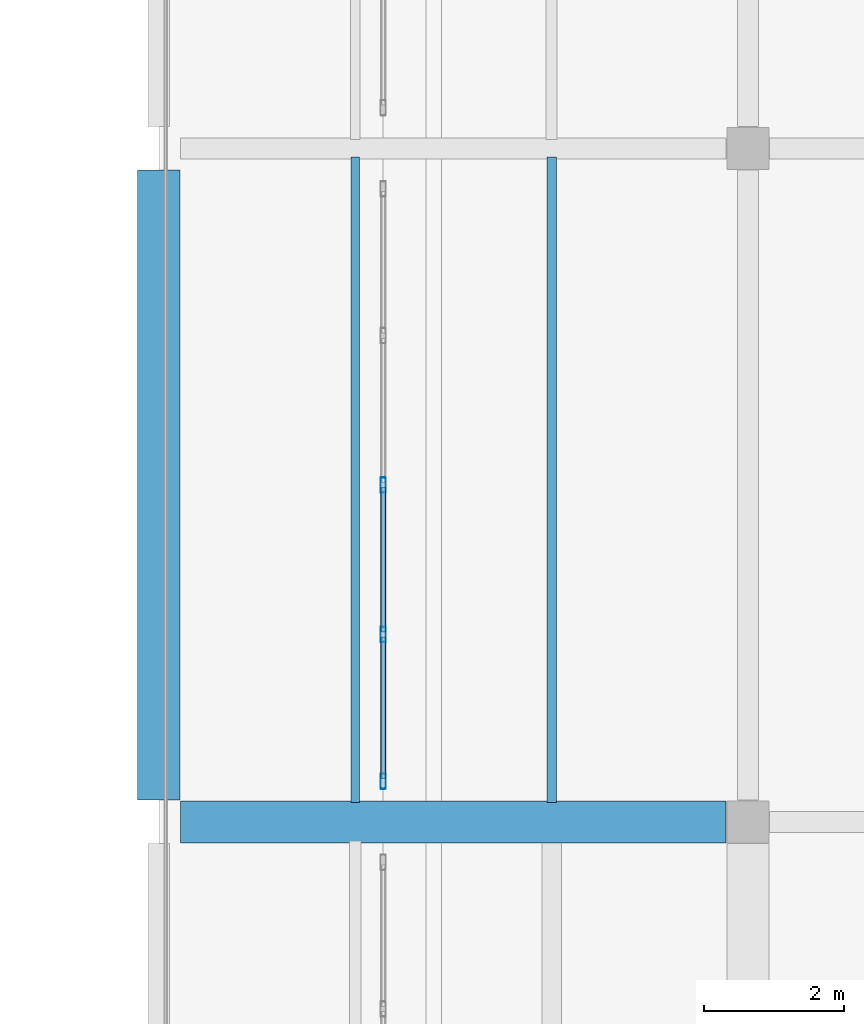
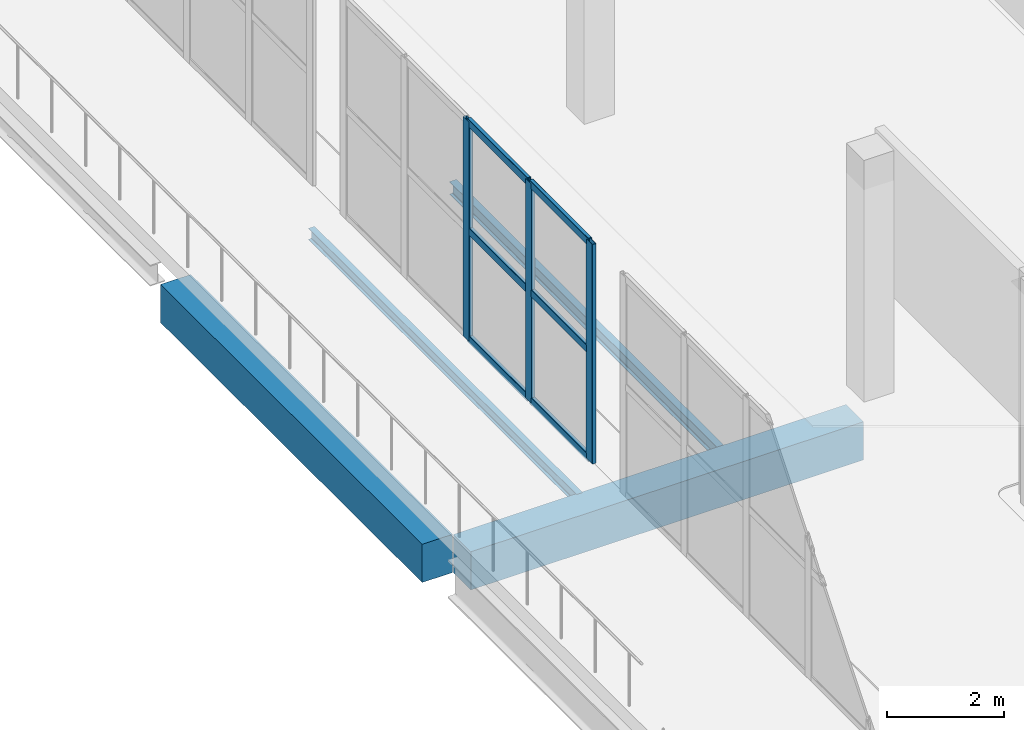
# One storey, part 23 of 77: 9 members, 4 beams, 1 element without a shape of its own.
"""IFC4 building model written with IfcOpenShell, lengths in metres."""

from ifc_helpers import new_model, si_unit, direction, frame, origin, origin_2d, place, context, subcontext, project, spatial, rectangle, hollow_rectangle, i_section, extrude, material, layer, layer_set, material_profile, profile_set, type_object, element, aggregate, save


model = new_model("IFC4")

# Units and contexts
model_context = context("Model", 3, precision=1e-05, world=origin(), true_north=direction((0.0, 1.0)))
body_context = subcontext(model_context, "Body", "Model", "MODEL_VIEW")
ifc_project = project(units=[si_unit("LENGTHUNIT", "METRE"), si_unit("AREAUNIT", "SQUARE_METRE"), si_unit("VOLUMEUNIT", "CUBIC_METRE"), si_unit("PLANEANGLEUNIT", "RADIAN"), si_unit("MASSUNIT", "GRAM", prefix="KILO")], contexts=[model_context])

# Site, building, storey
site_placement = place(None, origin())
site = spatial("IfcSite", under=ifc_project, at=site_placement, CompositionType="ELEMENT")
building_placement = place(site_placement, origin())
building = spatial("IfcBuilding", under=site, at=building_placement, Name="Zulmaris Art Gallery", CompositionType="ELEMENT")
storey_placement = place(building_placement, frame((0.0, 0.0, 15.60009765625)))
storey = spatial("IfcBuildingStorey", under=building, at=storey_placement, Name="L03", CompositionType="ELEMENT", Elevation=15.60009765625)

# Beams
ifc_material_1 = material(Name="Concrete C40/50", Category="concrete")
ifc_material_profile_1 = material_profile(ifc_material_1, rectangle(XDim=0.60009765625, YDim=0.800048828125, at=origin_2d()), Name="RC 600x800")
ifc_profile_set_1 = profile_set([ifc_material_profile_1], Name="Concrete C40/50")
beam_type_1 = type_object("IfcBeamType", Name="BEAM-BM27", PredefinedType="BEAM", material=ifc_profile_set_1)
beam_1_placement = place(storey_placement, frame((125.110107421875, 31.199951171875, -0.77001953125), z_axis=(1.0, 0.0, 0.0), x_axis=(0.0, 1.0, 0.0)))
element("IfcBeam", 1, at=beam_1_placement, inside=storey, type_object=beam_type_1, Name="L03 X-girder (124.8..133.2, y=31.2)", PredefinedType="BEAM", context=body_context, shape_type="SweptSolid", body=[
    extrude(rectangle(XDim=0.60009765625, YDim=0.800048828125, at=origin_2d()), origin(), (0.0, 0.0, 1.0), 7.77978515625),
])
beam_2_placement = place(storey_placement, frame((124.800048828125, 31.510009765625, -0.77001953125), z_axis=(0.0, 1.0, 0.0), x_axis=(-1.0, 0.0, 0.0)))
element("IfcBeam", 2, at=beam_2_placement, inside=storey, type_object=beam_type_1, Name="L03 Y-girder (x=124.8, 31.2..40.8)", PredefinedType="BEAM", context=body_context, shape_type="SweptSolid", body=[
    extrude(rectangle(XDim=0.60009765625, YDim=0.800048828125, at=origin_2d()), origin(), (0.0, 0.0, 1.0), 8.97998046875),
])
ifc_material_2 = material(Name="Steel S355J2", Category="steel")
ifc_material_profile_2 = material_profile(ifc_material_2, i_section(OverallWidth=0.1201171875, OverallDepth=0.239990234375, WebThickness=0.006103515625, FlangeThickness=0.009765625, FilletRadius=0.014892578125, at=origin_2d()), Name="IPE 240")
ifc_profile_set_2 = profile_set([ifc_material_profile_2], Name="Steel S355J2")
beam_type_2 = type_object("IfcBeamType", Name="BEAM-JS01", PredefinedType="JOIST", material=ifc_profile_set_2)
beam_3_placement = place(storey_placement, frame((127.60009765625, 31.47509765625, -0.489990234375), z_axis=(0.0, 1.0, 0.0), x_axis=(-1.0, 0.0, 0.0)))
element("IfcBeam", 3, at=beam_3_placement, inside=storey, type_object=beam_type_2, Name="L03 secondary joist at x=127.6", PredefinedType="JOIST", context=body_context, shape_type="SweptSolid", body=[
    extrude(i_section(OverallWidth=0.1201171875, OverallDepth=0.239990234375, WebThickness=0.006103515625, FlangeThickness=0.009765625, FilletRadius=0.014892578125, at=origin_2d()), origin(), (0.0, 0.0, 1.0), 9.199951171875),
])
ifc_material_profile_3 = material_profile(ifc_material_2, i_section(OverallWidth=0.135009765625, OverallDepth=0.27001953125, WebThickness=0.006591796875, FlangeThickness=0.01025390625, FilletRadius=0.014892578125, at=origin_2d()), Name="IPE 270")
ifc_profile_set_3 = profile_set([ifc_material_profile_3], Name="Steel S355J2")
beam_type_3 = type_object("IfcBeamType", Name="BEAM-JS02", PredefinedType="JOIST", material=ifc_profile_set_3)
beam_4_placement = place(storey_placement, frame((130.39990234375, 31.47509765625, -0.505126953125), z_axis=(0.0, 1.0, 0.0), x_axis=(-1.0, 0.0, 0.0)))
element("IfcBeam", 4, at=beam_4_placement, inside=storey, type_object=beam_type_3, Name="L03 secondary joist at x=130.4", PredefinedType="JOIST", context=body_context, shape_type="SweptSolid", body=[
    extrude(i_section(OverallWidth=0.135009765625, OverallDepth=0.27001953125, WebThickness=0.006591796875, FlangeThickness=0.01025390625, FilletRadius=0.014892578125, at=origin_2d()), origin(), (0.0, 0.0, 1.0), 9.199951171875),
])

# Curtain wall, members
ifc_material_3 = material(Name="Unitised Low-E Gallery Curtain Wall", Category="aluminium")
ifc_layer = layer(ifc_material_3, 0.179931640625)
ifc_layer_set = layer_set([ifc_layer], Name="Unitised Low-E Gallery Curtain Wall")
curtain_wall_type = type_object("IfcCurtainWallType", Name="CW-CW01", PredefinedType="NOTDEFINED", material=ifc_layer_set)
curtain_wall_placement = place(storey_placement, origin())
curtain_wall = element("IfcCurtainWall", 5, at=curtain_wall_placement, inside=storey, type_object=curtain_wall_type, Name="L03 curtain wall 120", PredefinedType="NOTDEFINED")
ifc_material_4 = material(Name="Anodised Bronze Aluminium", Category="aluminium")
ifc_material_profile_4 = material_profile(ifc_material_4, hollow_rectangle(XDim=0.074951171875, YDim=0.219970703125, WallThickness=0.0048828125, InnerFilletRadius=0.007568359375, OuterFilletRadius=0.012451171875, at=origin_2d()), Name="ALU 75x220x5")
ifc_profile_set_4 = profile_set([ifc_material_profile_4], Name="Anodised Bronze Aluminium")
member_type_1 = type_object("IfcMemberType", Name="CWMUL-02", PredefinedType="MULLION", material=ifc_profile_set_4)
member_1_placement = place(storey_placement, frame((128.0, 31.777587890625, 0.0), z_axis=(0.0, 0.0, 1.0), x_axis=(-1.0, 0.0, 0.0)))
member_1 = element("IfcMember", 6, at=member_1_placement, type_object=member_type_1, Name="CW01 mullion 1", PredefinedType="MULLION", context=body_context, shape_type="SweptSolid", body=[
    extrude(hollow_rectangle(XDim=0.074951171875, YDim=0.219970703125, WallThickness=0.0048828125, InnerFilletRadius=0.007568359375, OuterFilletRadius=0.012451171875, at=origin_2d()), origin(), (0.0, 0.0, 1.0), 4.599853515625),
])
member_2_placement = place(storey_placement, frame((128.0, 33.8701171875, 0.0), z_axis=(0.0, 0.0, 1.0), x_axis=(-1.0, 0.0, 0.0)))
member_2 = element("IfcMember", 7, at=member_2_placement, type_object=member_type_1, Name="CW01 mullion 2", PredefinedType="MULLION", context=body_context, shape_type="SweptSolid", body=[
    extrude(hollow_rectangle(XDim=0.074951171875, YDim=0.219970703125, WallThickness=0.0048828125, InnerFilletRadius=0.007568359375, OuterFilletRadius=0.012451171875, at=origin_2d()), origin(), (0.0, 0.0, 1.0), 4.599853515625),
])
member_3_placement = place(storey_placement, frame((128.0, 36.0, 0.0), z_axis=(0.0, 0.0, 1.0), x_axis=(-1.0, 0.0, 0.0)))
member_3 = element("IfcMember", 8, at=member_3_placement, type_object=member_type_1, Name="CW01 mullion 3", PredefinedType="MULLION", context=body_context, shape_type="SweptSolid", body=[
    extrude(hollow_rectangle(XDim=0.074951171875, YDim=0.219970703125, WallThickness=0.0048828125, InnerFilletRadius=0.007568359375, OuterFilletRadius=0.012451171875, at=origin_2d()), origin(), (0.0, 0.0, 1.0), 4.599853515625),
])
ifc_material_profile_5 = material_profile(ifc_material_4, hollow_rectangle(XDim=0.074951171875, YDim=0.159912109375, WallThickness=0.00390625, InnerFilletRadius=0.006103515625, OuterFilletRadius=0.010009765625, at=origin_2d()), Name="ALU 75x160x4")
ifc_profile_set_5 = profile_set([ifc_material_profile_5], Name="Anodised Bronze Aluminium")
member_type_2 = type_object("IfcMemberType", Name="CWTRN-02", PredefinedType="USERDEFINED", material=ifc_profile_set_5)
member_4_placement = place(storey_placement, frame((128.0, 31.81494140625, 0.037353515625), z_axis=(0.0, 1.0, 0.0), x_axis=(-1.0, 0.0, 0.0)))
member_4 = element("IfcMember", 9, at=member_4_placement, type_object=member_type_2, Name="CW01 transom 1.1", ObjectType="TRANSOM", PredefinedType="USERDEFINED", context=body_context, shape_type="SweptSolid", body=[
    extrude(hollow_rectangle(XDim=0.074951171875, YDim=0.159912109375, WallThickness=0.00390625, InnerFilletRadius=0.006103515625, OuterFilletRadius=0.010009765625, at=origin_2d()), origin(), (0.0, 0.0, 1.0), 2.017578125),
])
member_5_placement = place(storey_placement, frame((128.0, 31.81494140625, 2.2998046875), z_axis=(0.0, 1.0, 0.0), x_axis=(-1.0, 0.0, 0.0)))
member_5 = element("IfcMember", 10, at=member_5_placement, type_object=member_type_2, Name="CW01 transom 1.2", ObjectType="TRANSOM", PredefinedType="USERDEFINED", context=body_context, shape_type="SweptSolid", body=[
    extrude(hollow_rectangle(XDim=0.074951171875, YDim=0.159912109375, WallThickness=0.00390625, InnerFilletRadius=0.006103515625, OuterFilletRadius=0.010009765625, at=origin_2d()), origin(), (0.0, 0.0, 1.0), 2.017578125),
])
member_6_placement = place(storey_placement, frame((128.0, 31.81494140625, 4.5625), z_axis=(0.0, 1.0, 0.0), x_axis=(-1.0, 0.0, 0.0)))
member_6 = element("IfcMember", 11, at=member_6_placement, type_object=member_type_2, Name="CW01 transom 1.3", ObjectType="TRANSOM", PredefinedType="USERDEFINED", context=body_context, shape_type="SweptSolid", body=[
    extrude(hollow_rectangle(XDim=0.074951171875, YDim=0.159912109375, WallThickness=0.00390625, InnerFilletRadius=0.006103515625, OuterFilletRadius=0.010009765625, at=origin_2d()), origin(), (0.0, 0.0, 1.0), 2.017578125),
])
member_7_placement = place(storey_placement, frame((128.0, 33.907470703125, 0.037353515625), z_axis=(0.0, 1.0, 0.0), x_axis=(-1.0, 0.0, 0.0)))
member_7 = element("IfcMember", 12, at=member_7_placement, type_object=member_type_2, Name="CW01 transom 2.1", ObjectType="TRANSOM", PredefinedType="USERDEFINED", context=body_context, shape_type="SweptSolid", body=[
    extrude(hollow_rectangle(XDim=0.074951171875, YDim=0.159912109375, WallThickness=0.00390625, InnerFilletRadius=0.006103515625, OuterFilletRadius=0.010009765625, at=origin_2d()), origin(), (0.0, 0.0, 1.0), 2.054931640625),
])
member_8_placement = place(storey_placement, frame((128.0, 33.907470703125, 2.2998046875), z_axis=(0.0, 1.0, 0.0), x_axis=(-1.0, 0.0, 0.0)))
member_8 = element("IfcMember", 13, at=member_8_placement, type_object=member_type_2, Name="CW01 transom 2.2", ObjectType="TRANSOM", PredefinedType="USERDEFINED", context=body_context, shape_type="SweptSolid", body=[
    extrude(hollow_rectangle(XDim=0.074951171875, YDim=0.159912109375, WallThickness=0.00390625, InnerFilletRadius=0.006103515625, OuterFilletRadius=0.010009765625, at=origin_2d()), origin(), (0.0, 0.0, 1.0), 2.054931640625),
])
member_9_placement = place(storey_placement, frame((128.0, 33.907470703125, 4.5625), z_axis=(0.0, 1.0, 0.0), x_axis=(-1.0, 0.0, 0.0)))
member_9 = element("IfcMember", 14, at=member_9_placement, type_object=member_type_2, Name="CW01 transom 2.3", ObjectType="TRANSOM", PredefinedType="USERDEFINED", context=body_context, shape_type="SweptSolid", body=[
    extrude(hollow_rectangle(XDim=0.074951171875, YDim=0.159912109375, WallThickness=0.00390625, InnerFilletRadius=0.006103515625, OuterFilletRadius=0.010009765625, at=origin_2d()), origin(), (0.0, 0.0, 1.0), 2.054931640625),
])
aggregate(curtain_wall, [member_1, member_2, member_3, member_4, member_5, member_6, member_7, member_8, member_9])

save(model, "model.ifc")
